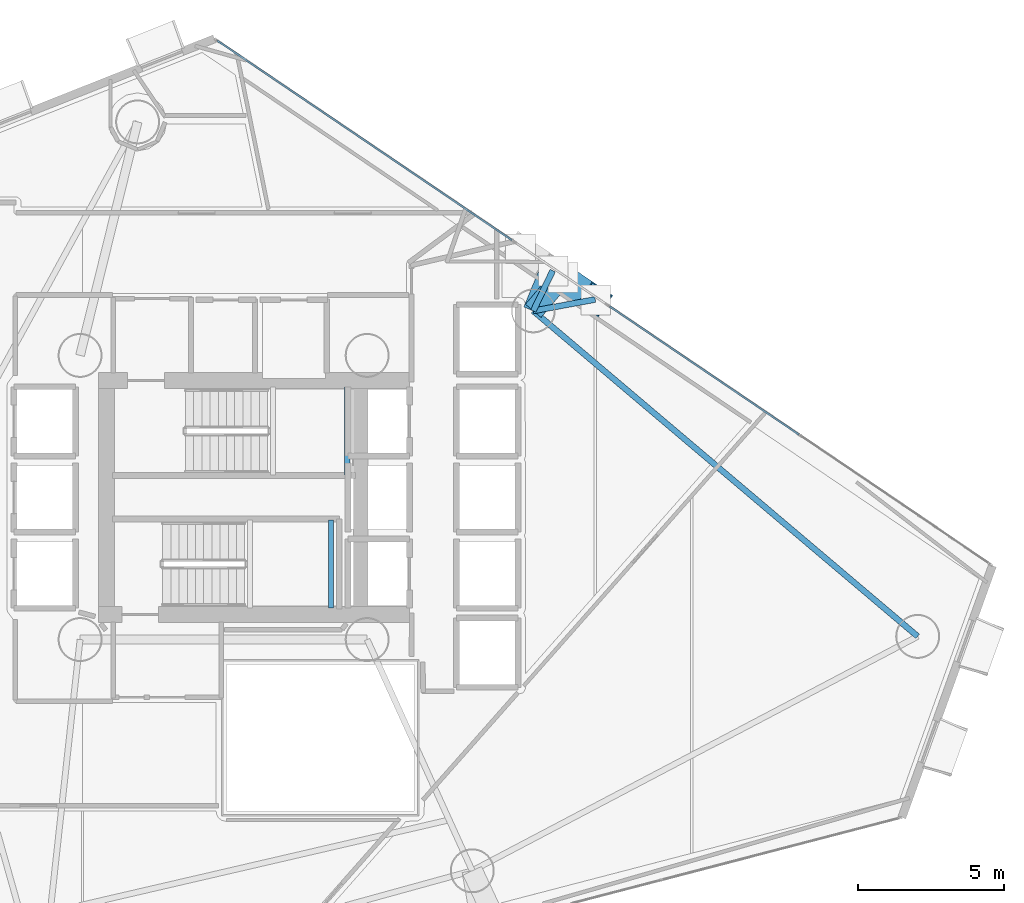
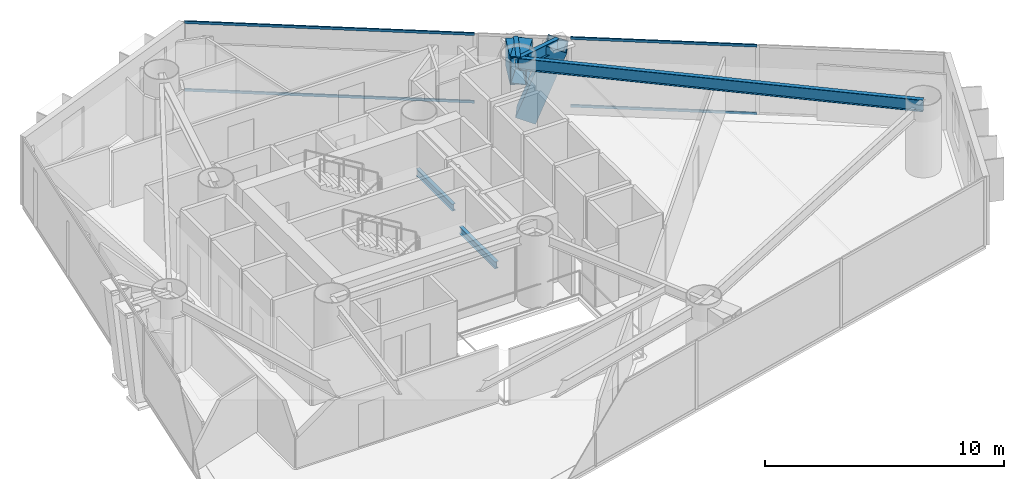
# One storey, part 10 of 21: 7 beams, 5 members, 2 elements without a shape of their own.
"""IFC4 building model written with IfcOpenShell, lengths in metres."""

from ifc_helpers import new_model, si_unit, direction, frame, origin, origin_2d, place, context, subcontext, project, spatial, hollow_rectangle, i_section, extrude, material, layer, layer_set, material_profile, profile_set, type_object, element, aggregate, save


model = new_model("IFC4")

# Units and contexts
model_context = context("Model", 3, precision=1e-05, world=origin(), true_north=direction((0.0, 1.0)))
body_context = subcontext(model_context, "Body", "Model", "MODEL_VIEW")
ifc_project = project(units=[si_unit("LENGTHUNIT", "METRE"), si_unit("AREAUNIT", "SQUARE_METRE"), si_unit("VOLUMEUNIT", "CUBIC_METRE"), si_unit("PLANEANGLEUNIT", "RADIAN"), si_unit("MASSUNIT", "GRAM", prefix="KILO")], contexts=[model_context])

# Site, building, storey
site_placement = place(None, origin())
site = spatial("IfcSite", under=ifc_project, at=site_placement, CompositionType="ELEMENT")
building_placement = place(site_placement, origin())
building = spatial("IfcBuilding", under=site, at=building_placement, Name="Qianvela Tower", CompositionType="ELEMENT")
storey_placement = place(building_placement, frame((0.0, 0.0, 112.60009765625)))
storey = spatial("IfcBuildingStorey", under=building, at=storey_placement, Name="L28", CompositionType="ELEMENT", Elevation=112.60009765625)

# Beams
ifc_material_1 = material(Name="Steel Q355B", Category="steel")
ifc_material_profile_1 = material_profile(ifc_material_1, i_section(OverallWidth=0.175048828125, OverallDepth=0.35009765625, WebThickness=0.007080078125, FlangeThickness=0.010986328125, at=origin_2d()), Name="HN350x175x7x11")
ifc_profile_set_1 = profile_set([ifc_material_profile_1], Name="Steel Q355B")
beam_type_1 = type_object("IfcBeamType", Name="BM-HN350-JOIST", PredefinedType="JOIST", material=ifc_profile_set_1)
for number, where, z_axis, x_axis, name in (
    (1, (37.719970703125, 29.4599609375, 1.474853515625), (0.0, 1.0, 0.0), (-1.0, 0.0, 0.0), "L28 Stair ST-1 Landing Support Beam 1.2"),
    (2, (37.169921875, 24.919921875, 1.474853515625), (0.0, 1.0, 0.0), (-1.0, 0.0, 0.0), "L28 Stair ST-2 Landing Support Beam 1.2"),
):
    element("IfcBeam", number, at=place(storey_placement, frame(where, z_axis=z_axis, x_axis=x_axis)), inside=storey, type_object=beam_type_1, Name=name, PredefinedType="JOIST", context=body_context, shape_type="SweptSolid", body=[
        extrude(i_section(OverallWidth=0.175048828125, OverallDepth=0.35009765625, WebThickness=0.007080078125, FlangeThickness=0.010986328125, at=origin_2d()), origin(), (0.0, 0.0, 1.0), 3.02001953125),
    ])
ifc_material_2 = material(Name="Steel Q355B", Category="steel")
ifc_material_profile_2 = material_profile(ifc_material_2, i_section(OverallWidth=0.199951171875, OverallDepth=0.60009765625, WebThickness=0.010986328125, FlangeThickness=0.01708984375, at=origin_2d()), Name="HN600x200x11x17")
ifc_profile_set_2 = profile_set([ifc_material_profile_2], Name="Steel Q355B")
beam_type_2 = type_object("IfcBeamType", Name="BM-HN600-GIRD", PredefinedType="BEAM", material=ifc_profile_set_2)
beam_1_placement = place(storey_placement, frame((44.071044921875, 35.070068359375, 3.218017578125), z_axis=(0.983449462577, 0.181182655232, 0.0), x_axis=(-0.181182655232, 0.983449462577, 0.0)))
element("IfcBeam", 3, at=beam_1_placement, inside=storey, type_object=beam_type_2, Name="L28 Mega-Brace Column Tie Bracket F1-1", PredefinedType="BEAM", context=body_context, shape_type="SweptSolid", body=[
    extrude(i_section(OverallWidth=0.199951171875, OverallDepth=0.60009765625, WebThickness=0.010986328125, FlangeThickness=0.01708984375, at=origin_2d()), origin(), (0.0, 0.0, 1.0), 2.150634765625),
])
beam_2_placement = place(storey_placement, frame((44.071044921875, 35.070068359375, 3.218017578125), z_axis=(0.435519075724, 0.900179501367, 0.0), x_axis=(-0.900179501367, 0.435519075724, 0.0)))
element("IfcBeam", 4, at=beam_2_placement, inside=storey, type_object=beam_type_2, Name="L28 Mega-Brace Column Tie Bracket F1-2", PredefinedType="BEAM", context=body_context, shape_type="SweptSolid", body=[
    extrude(i_section(OverallWidth=0.199951171875, OverallDepth=0.60009765625, WebThickness=0.010986328125, FlangeThickness=0.01708984375, at=origin_2d()), origin(), (0.0, 0.0, 1.0), 1.524658203125),
])
beam_3_placement = place(storey_placement, frame((57.194091796875, 23.9580078125, 3.218017578125), z_axis=(-0.763158437154, 0.646211420358, 0.0), x_axis=(-0.646211420358, -0.763158437154, 0.0)))
element("IfcBeam", 5, at=beam_3_placement, inside=storey, type_object=beam_type_2, Name="L28 Perimeter Ring Spandrel Girder 1", PredefinedType="BEAM", context=body_context, shape_type="SweptSolid", body=[
    extrude(i_section(OverallWidth=0.199951171875, OverallDepth=0.60009765625, WebThickness=0.010986328125, FlangeThickness=0.01708984375, at=origin_2d()), origin(), (0.0, 0.0, 1.0), 17.19580078125),
])
ifc_material_3 = material(Name="Steel Q420GJC", Category="steel")
ifc_material_profile_3 = material_profile(ifc_material_3, hollow_rectangle(XDim=0.699951171875, YDim=1.39990234375, WallThickness=0.0400390625, at=origin_2d()), Name="TG-BOX-1400x700x40")
ifc_profile_set_3 = profile_set([ifc_material_profile_3], Name="Steel Q420GJC")
beam_type_3 = type_object("IfcBeamType", Name="BM-TG-STEP-1400", PredefinedType="BEAM", material=ifc_profile_set_3)
beam_4_placement = place(storey_placement, frame((44.071044921875, 35.070068359375, 2.81494140625), z_axis=(0.644025238501, 0.765004243239, 0.0), x_axis=(-0.765004243239, 0.644025238501, 0.0)))
element("IfcBeam", 6, at=beam_4_placement, inside=storey, type_object=beam_type_3, Name="L28 Mega-Brace Zone Base Bracket F1-1", PredefinedType="BEAM", context=body_context, shape_type="SweptSolid", body=[
    extrude(hollow_rectangle(XDim=0.699951171875, YDim=1.39990234375, WallThickness=0.0400390625, at=origin_2d()), origin(), (0.0, 0.0, 1.0), 1.4287109375),
])
beam_5_placement = place(storey_placement, frame((44.071044921875, 35.070068359375, 2.81494140625), z_axis=(0.380595079489, 0.924741793945, 0.0), x_axis=(-0.924741793945, 0.380595079489, 0.0)))
element("IfcBeam", 7, at=beam_5_placement, inside=storey, type_object=beam_type_3, Name="L28 Mega-Brace Zone Base Bracket F1-2", PredefinedType="BEAM", context=body_context, shape_type="SweptSolid", body=[
    extrude(hollow_rectangle(XDim=0.699951171875, YDim=1.39990234375, WallThickness=0.0400390625, at=origin_2d()), origin(), (0.0, 0.0, 1.0), 1.428466796875),
])

# Curtain wall, members
ifc_material_4 = material(Name="Anodised Architectural Aluminium and Low-E Glass", Category="aluminium")
ifc_layer = layer(ifc_material_4, 0.169921875)
ifc_layer_set = layer_set([ifc_layer], Name="Anodised Architectural Aluminium and Low-E Glass")
curtain_wall_type = type_object("IfcCurtainWallType", Name="CW-COLIV-Z34", PredefinedType="USERDEFINED", material=ifc_layer_set)
curtain_wall_1_placement = place(storey_placement, origin())
curtain_wall_1 = element("IfcCurtainWall", 8, at=curtain_wall_1_placement, inside=storey, type_object=curtain_wall_type, Name="L28 CW-COLIV-Z34 Curtain Wall 02A", ObjectType="CURTAIN_WALL_SYSTEM", PredefinedType="USERDEFINED")
ifc_material_5 = material(Name="Anodised Architectural Aluminium 6063-T6", Category="aluminium")
ifc_material_profile_4 = material_profile(ifc_material_5, hollow_rectangle(XDim=0.06494140625, YDim=0.1298828125, WallThickness=0.00439453125, at=origin_2d()), Name="ALU-TRAN-65x130")
ifc_profile_set_4 = profile_set([ifc_material_profile_4], Name="Anodised Architectural Aluminium 6063-T6")
member_type_1 = type_object("IfcMemberType", Name="CW-COLIV-Z34-TRAN", PredefinedType="USERDEFINED", material=ifc_profile_set_4)
member_1_placement = place(storey_placement, frame((53.13818359375, 30.84716796875, 0.032470703125), z_axis=(-0.827926189236, 0.56083707543, 0.0), x_axis=(-0.56083707543, -0.827926189236, 0.0)))
member_1 = element("IfcMember", 9, at=member_1_placement, type_object=member_type_1, Name="CW-4 transom 2.1", ObjectType="TRANSOM", PredefinedType="USERDEFINED", context=body_context, shape_type="SweptSolid", body=[
    extrude(hollow_rectangle(XDim=0.06494140625, YDim=0.1298828125, WallThickness=0.00439453125, at=origin_2d()), origin(), (0.0, 0.0, 1.0), 7.802490234375),
])
member_2_placement = place(storey_placement, frame((53.13818359375, 30.84716796875, 3.4873046875), z_axis=(-0.827926189236, 0.56083707543, 0.0), x_axis=(-0.56083707543, -0.827926189236, 0.0)))
member_2 = element("IfcMember", 10, at=member_2_placement, type_object=member_type_1, Name="CW-4 transom 2.2", ObjectType="TRANSOM", PredefinedType="USERDEFINED", context=body_context, shape_type="SweptSolid", body=[
    extrude(hollow_rectangle(XDim=0.06494140625, YDim=0.1298828125, WallThickness=0.00439453125, at=origin_2d()), origin(), (0.0, 0.0, 1.0), 7.802490234375),
])
aggregate(curtain_wall_1, [member_1, member_2])

curtain_wall_2_placement = place(storey_placement, origin())
curtain_wall_2 = element("IfcCurtainWall", 11, at=curtain_wall_2_placement, inside=storey, type_object=curtain_wall_type, Name="L28 CW-COLIV-Z34 Curtain Wall 02C", ObjectType="CURTAIN_WALL_SYSTEM", PredefinedType="USERDEFINED")
member_3_placement = place(storey_placement, frame((43.341552734375, 37.483154296875, 0.032470703125), z_axis=(-0.827931031936, 0.56082992641, 0.0), x_axis=(-0.56082992641, -0.827931031936, 0.0)))
member_3 = element("IfcMember", 12, at=member_3_placement, type_object=member_type_1, Name="CW-4 transom 1.1", ObjectType="TRANSOM", PredefinedType="USERDEFINED", context=body_context, shape_type="SweptSolid", body=[
    extrude(hollow_rectangle(XDim=0.06494140625, YDim=0.1298828125, WallThickness=0.00439453125, at=origin_2d()), origin(), (0.0, 0.0, 1.0), 12.1484375),
])
member_4_placement = place(storey_placement, frame((43.341552734375, 37.483154296875, 3.4873046875), z_axis=(-0.827931031936, 0.56082992641, 0.0), x_axis=(-0.56082992641, -0.827931031936, 0.0)))
member_4 = element("IfcMember", 13, at=member_4_placement, type_object=member_type_1, Name="CW-4 transom 1.2", ObjectType="TRANSOM", PredefinedType="USERDEFINED", context=body_context, shape_type="SweptSolid", body=[
    extrude(hollow_rectangle(XDim=0.06494140625, YDim=0.1298828125, WallThickness=0.00439453125, at=origin_2d()), origin(), (0.0, 0.0, 1.0), 12.1484375),
])
aggregate(curtain_wall_2, [member_3, member_4])

# Member
ifc_material_6 = material(Name="Steel Q420GJC", Category="steel")
ifc_material_profile_5 = material_profile(ifc_material_6, hollow_rectangle(XDim=0.89990234375, YDim=0.89990234375, WallThickness=0.035888671875, at=origin_2d()), Name="MBOX-900x900x36")
ifc_profile_set_5 = profile_set([ifc_material_profile_5], Name="Steel Q420GJC")
member_type_2 = type_object("IfcMemberType", Name="MBR-MBRACE-900", PredefinedType="BRACE", material=ifc_profile_set_5)
member_5_placement = place(storey_placement, frame((45.099365234375, 36.19580078125, -0.482177734375), z_axis=(0.276782308833, -0.18748565741, 0.942465215158), x_axis=(0.560823467271, 0.827935407238, 0.0)))
element("IfcMember", 14, at=member_5_placement, inside=storey, type_object=member_type_2, Name="L28 Tier 4 Exterior Mega-Brace F1A", PredefinedType="BRACE", context=body_context, shape_type="SweptSolid", body=[
    extrude(hollow_rectangle(XDim=0.89990234375, YDim=0.89990234375, WallThickness=0.035888671875, at=origin_2d()), origin(), (0.0, 0.0, 1.0), 3.926025390625),
])

save(model, "model.ifc")
